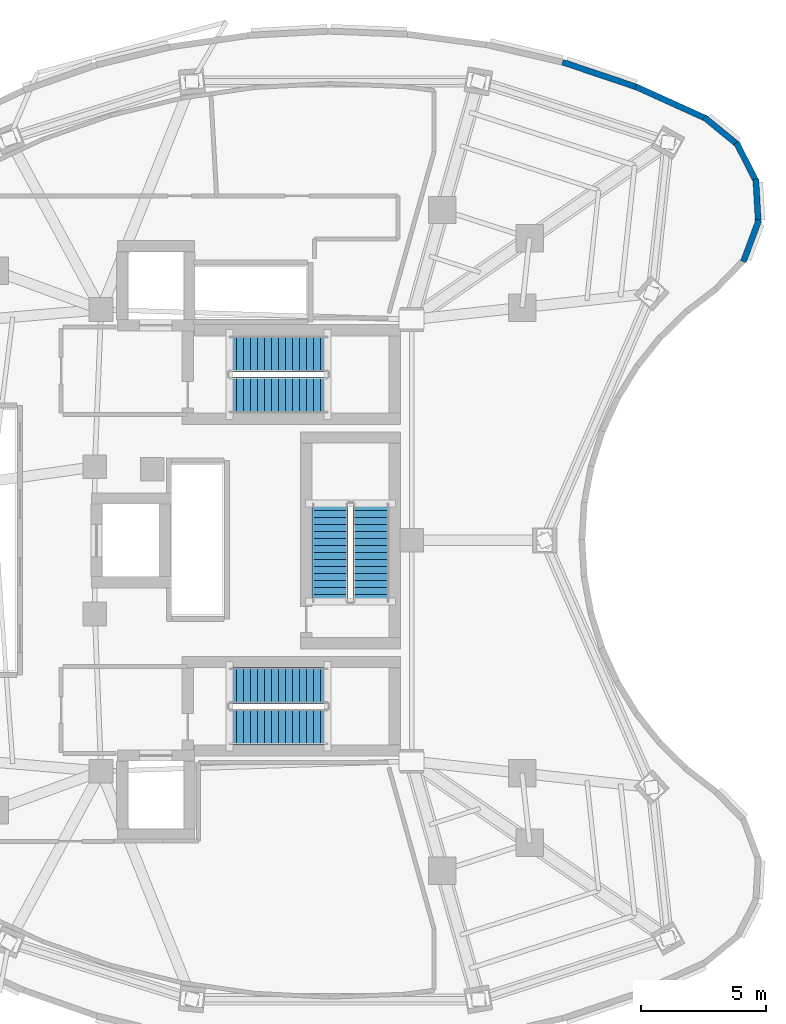
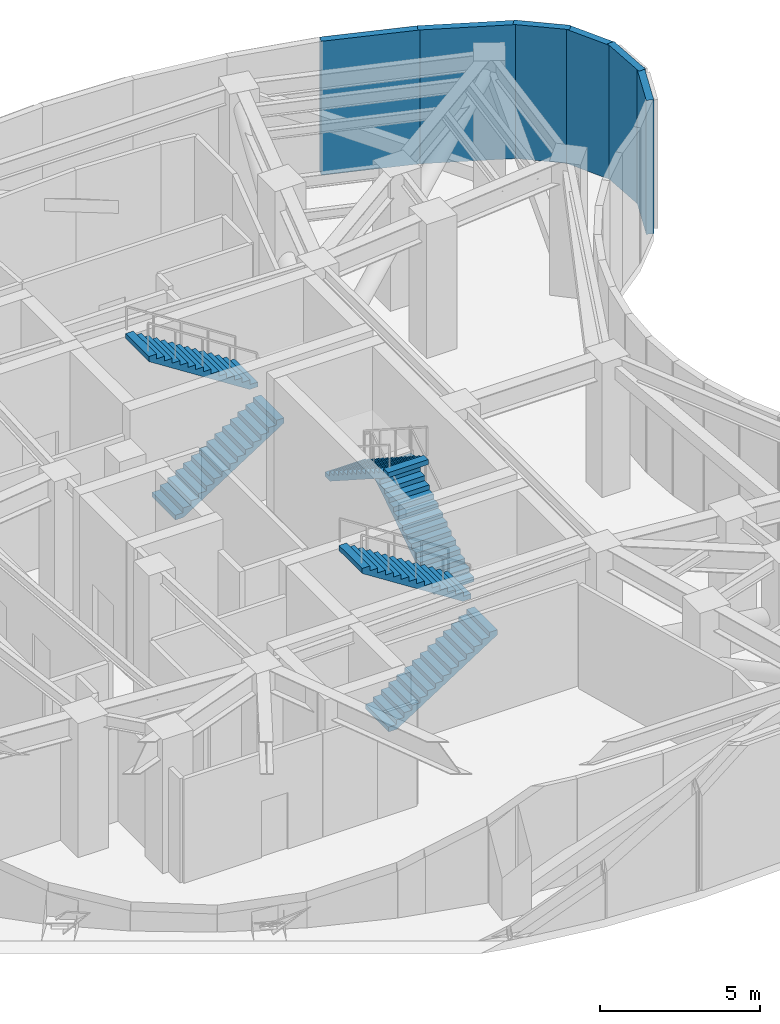
# One storey, part 7 of 10: 6 stair flights, 6 walls, 3 elements without a shape of their own.
"""IFC4 building model written with IfcOpenShell, lengths in metres."""

from ifc_helpers import new_model, si_unit, direction, frame, frame_2d, origin, place, context, subcontext, project, spatial, polyline, rectangle, outline, extrude, material, layer, layer_set, type_object, element, aggregate, save


model = new_model("IFC4")

# Units and contexts
model_context = context("Model", 3, precision=1e-05, world=origin(), true_north=direction((0.0, 1.0)))
body_context = subcontext(model_context, "Body", "Model", "MODEL_VIEW")
ifc_project = project(units=[si_unit("LENGTHUNIT", "METRE"), si_unit("AREAUNIT", "SQUARE_METRE"), si_unit("VOLUMEUNIT", "CUBIC_METRE"), si_unit("PLANEANGLEUNIT", "RADIAN"), si_unit("MASSUNIT", "GRAM", prefix="KILO")], contexts=[model_context])

# Site, building, storey
site_placement = place(None, origin())
site = spatial("IfcSite", under=ifc_project, at=site_placement, CompositionType="ELEMENT")
building_placement = place(site_placement, origin())
building = spatial("IfcBuilding", under=site, at=building_placement, Name="Korentha Bioscience Tower", CompositionType="ELEMENT")
storey_placement = place(building_placement, frame((0.0, 0.0, 148.800048828125)))
storey = spatial("IfcBuildingStorey", under=building, at=storey_placement, Name="L34", CompositionType="ELEMENT", Elevation=148.800048828125)

# Walls
ifc_material_1 = material(Name="Insulated Precast Concrete C40", Category="concrete")
ifc_layer = layer(ifc_material_1, 0.239990234375, Name="Insulated Precast Concrete C40")
ifc_layer_set = layer_set([ifc_layer], Name="Insulated Precast Concrete C40 (EW-PL240)")
wall_type = type_object("IfcWallType", Name="Plant Acoustic Louvre Backup Wall 240", PredefinedType="STANDARD", material=ifc_layer_set)
wall_1_placement = place(storey_placement, frame((49.381103515625, 43.891845703125, 0.0), z_axis=(0.0, 0.0, 1.0), x_axis=(-0.910627622645, 0.413227942999, 0.0)))
element("IfcWall", 1, at=wall_1_placement, inside=storey, type_object=wall_type, Name="L34 Plant Louvre Backup Wall 01", PredefinedType="STANDARD", context=body_context, shape_type="SweptSolid", body=[
    extrude(rectangle(XDim=3.135498046875, YDim=0.239990234375, at=frame_2d((1.56787109375, 0.0))), origin(), (0.0, 0.0, 1.0), 5.099853515625),
])
wall_2_placement = place(storey_placement, frame((46.630126953125, 45.146240234375, 0.0), z_axis=(0.0, 0.0, 1.0), x_axis=(-0.947648965164, 0.319314012882, 0.0)))
element("IfcWall", 2, at=wall_2_placement, inside=storey, type_object=wall_type, Name="L34 Plant Louvre Backup Wall 02", PredefinedType="STANDARD", context=body_context, shape_type="SweptSolid", body=[
    extrude(rectangle(XDim=3.2021484375, YDim=0.239990234375, at=frame_2d((1.60107421875, 0.0))), origin(), (0.0, 0.0, 1.0), 5.099853515625),
])
wall_3_placement = place(storey_placement, frame((50.840576171875, 38.16455078125, 0.0), z_axis=(0.0, 0.0, 1.0), x_axis=(0.348987012258, 0.937127560834, 0.0)))
element("IfcWall", 3, at=wall_3_placement, inside=storey, type_object=wall_type, Name="L34 Plant Louvre Backup Wall 59", PredefinedType="STANDARD", context=body_context, shape_type="SweptSolid", body=[
    extrude(rectangle(XDim=1.79150390625, YDim=0.239990234375, at=frame_2d((0.895751953125, 0.0))), origin(), (0.0, 0.0, 1.0), 5.099853515625),
])
wall_4_placement = place(storey_placement, frame((51.44384765625, 39.697998046875, 0.0), z_axis=(0.0, 0.0, 1.0), x_axis=(-0.057499905278, 0.998345511781, 0.0)))
element("IfcWall", 4, at=wall_4_placement, inside=storey, type_object=wall_type, Name="L34 Plant Louvre Backup Wall 60", PredefinedType="STANDARD", context=body_context, shape_type="SweptSolid", body=[
    extrude(rectangle(XDim=1.791748046875, YDim=0.239990234375, at=frame_2d((0.89599609375, 0.0))), origin(), (0.0, 0.0, 1.0), 5.099853515625),
])
wall_5_placement = place(storey_placement, frame((51.37939453125, 41.3447265625, 0.0), z_axis=(0.0, 0.0, 1.0), x_axis=(-0.45422985356, 0.890884526824, 0.0)))
element("IfcWall", 5, at=wall_5_placement, inside=storey, type_object=wall_type, Name="L34 Plant Louvre Backup Wall 61", PredefinedType="STANDARD", context=body_context, shape_type="SweptSolid", body=[
    extrude(rectangle(XDim=1.7919921875, YDim=0.239990234375, at=frame_2d((0.89599609375, 0.0))), origin(), (0.0, 0.0, 1.0), 5.099853515625),
])
wall_6_placement = place(storey_placement, frame((50.65771484375, 42.826416015625, 0.0), z_axis=(0.0, 0.0, 1.0), x_axis=(-0.774218282291, 0.632918676741, 0.0)))
element("IfcWall", 6, at=wall_6_placement, inside=storey, type_object=wall_type, Name="L34 Plant Louvre Backup Wall 62", PredefinedType="STANDARD", context=body_context, shape_type="SweptSolid", body=[
    extrude(rectangle(XDim=1.791748046875, YDim=0.239990234375, at=frame_2d((0.89599609375, 0.0))), origin(), (0.0, 0.0, 1.0), 5.099853515625),
])

# Stair, stair flights
ifc_material_2 = material(Name="Precast Concrete C50", Category="concrete")
stair_type = type_object("IfcStairType", Name="Core Exit Dog-Leg Stair 1450", PredefinedType="HALF_TURN_STAIR", material=ifc_material_2)
stair_1_placement = place(storey_placement, origin())
stair_1 = element("IfcStair", 7, at=stair_1_placement, inside=storey, type_object=stair_type, Name="L34 Tower North Pressurized Exit Stair ST-1", PredefinedType="HALF_TURN_STAIR")
stair_flight_type = type_object("IfcStairFlightType", Name="Core Exit Dog-Leg Stair 1450 Flight", PredefinedType="STRAIGHT", material=ifc_material_2)
stair_flight_1_placement = place(storey_placement, frame((30.25, 32.824951171875, 0.0), z_axis=(0.0, 0.0, 1.0), x_axis=(1.0, 0.0, 0.0)))
stair_flight_1 = element("IfcStairFlight", 8, at=stair_flight_1_placement, type_object=stair_flight_type, Name="ST-1 flight 1", NumberOfRisers=15, NumberOfTreads=14, PredefinedType="STRAIGHT", RiserHeight=0.18, TreadLength=0.28, context=body_context, shape_type="SweptSolid", body=[
    extrude(outline(polyline([(0.0, 0.0), (0.0, 0.179931640625), (0.280029296875, 0.179931640625), (0.280029296875, 0.360107421875), (0.56005859375, 0.360107421875), (0.56005859375, 0.5400390625), (0.840087890625, 0.5400390625), (0.840087890625, 0.719970703125), (1.1201171875, 0.719970703125), (1.1201171875, 0.89990234375), (1.39990234375, 0.89990234375), (1.39990234375, 1.080078125), (1.679931640625, 1.080078125), (1.679931640625, 1.260009765625), (1.9599609375, 1.260009765625), (1.9599609375, 1.43994140625), (2.239990234375, 1.43994140625), (2.239990234375, 1.6201171875), (2.52001953125, 1.6201171875), (2.52001953125, 1.800048828125), (2.800048828125, 1.800048828125), (2.800048828125, 1.97998046875), (3.080078125, 1.97998046875), (3.080078125, 2.159912109375), (3.360107421875, 2.159912109375), (3.360107421875, 2.340087890625), (3.639892578125, 2.340087890625), (3.639892578125, 2.52001953125), (3.919921875, 2.52001953125), (3.919921875, 2.699951171875), (3.919921875, 2.329833984375), (0.295654296875, 0.0), (0.0, 0.0)])), frame((0.0, 0.72509765625, 0.0), z_axis=(0.0, -1.0, 0.0), x_axis=(1.0, 0.0, 0.0)), (0.0, 0.0, 1.0), 1.449951171875),
])
stair_flight_2_placement = place(storey_placement, frame((34.169921875, 34.47509765625, 2.699951171875), z_axis=(0.0, 0.0, 1.0), x_axis=(-1.0, 0.0, 0.0)))
stair_flight_2 = element("IfcStairFlight", 9, at=stair_flight_2_placement, type_object=stair_flight_type, Name="ST-1 flight 2", NumberOfRisers=15, NumberOfTreads=14, PredefinedType="STRAIGHT", RiserHeight=0.18, TreadLength=0.28, context=body_context, shape_type="SweptSolid", body=[
    extrude(outline(polyline([(0.0, 0.0), (0.0, 0.179931640625), (0.280029296875, 0.179931640625), (0.280029296875, 0.360107421875), (0.56005859375, 0.360107421875), (0.56005859375, 0.5400390625), (0.840087890625, 0.5400390625), (0.840087890625, 0.719970703125), (1.1201171875, 0.719970703125), (1.1201171875, 0.89990234375), (1.39990234375, 0.89990234375), (1.39990234375, 1.080078125), (1.679931640625, 1.080078125), (1.679931640625, 1.260009765625), (1.9599609375, 1.260009765625), (1.9599609375, 1.43994140625), (2.239990234375, 1.43994140625), (2.239990234375, 1.6201171875), (2.52001953125, 1.6201171875), (2.52001953125, 1.800048828125), (2.800048828125, 1.800048828125), (2.800048828125, 1.97998046875), (3.080078125, 1.97998046875), (3.080078125, 2.159912109375), (3.360107421875, 2.159912109375), (3.360107421875, 2.340087890625), (3.639892578125, 2.340087890625), (3.639892578125, 2.52001953125), (3.919921875, 2.52001953125), (3.919921875, 2.699951171875), (3.919921875, 2.329833984375), (0.295654296875, 0.0), (0.0, 0.0)])), frame((0.0, 0.72509765625, 0.0), z_axis=(0.0, -1.0, 0.0), x_axis=(1.0, 0.0, 0.0)), (0.0, 0.0, 1.0), 1.449951171875),
])
aggregate(stair_1, [stair_flight_1, stair_flight_2])

stair_2_placement = place(storey_placement, origin())
stair_2 = element("IfcStair", 10, at=stair_2_placement, inside=storey, type_object=stair_type, Name="L34 Tower South Pressurized Exit Stair ST-2", PredefinedType="HALF_TURN_STAIR")
stair_flight_3_placement = place(storey_placement, frame((30.25, 19.52490234375, 0.0), z_axis=(0.0, 0.0, 1.0), x_axis=(1.0, 0.0, 0.0)))
stair_flight_3 = element("IfcStairFlight", 11, at=stair_flight_3_placement, type_object=stair_flight_type, Name="ST-2 flight 1", NumberOfRisers=15, NumberOfTreads=14, PredefinedType="STRAIGHT", RiserHeight=0.18, TreadLength=0.28, context=body_context, shape_type="SweptSolid", body=[
    extrude(outline(polyline([(0.0, 0.0), (0.0, 0.179931640625), (0.280029296875, 0.179931640625), (0.280029296875, 0.360107421875), (0.56005859375, 0.360107421875), (0.56005859375, 0.5400390625), (0.840087890625, 0.5400390625), (0.840087890625, 0.719970703125), (1.1201171875, 0.719970703125), (1.1201171875, 0.89990234375), (1.39990234375, 0.89990234375), (1.39990234375, 1.080078125), (1.679931640625, 1.080078125), (1.679931640625, 1.260009765625), (1.9599609375, 1.260009765625), (1.9599609375, 1.43994140625), (2.239990234375, 1.43994140625), (2.239990234375, 1.6201171875), (2.52001953125, 1.6201171875), (2.52001953125, 1.800048828125), (2.800048828125, 1.800048828125), (2.800048828125, 1.97998046875), (3.080078125, 1.97998046875), (3.080078125, 2.159912109375), (3.360107421875, 2.159912109375), (3.360107421875, 2.340087890625), (3.639892578125, 2.340087890625), (3.639892578125, 2.52001953125), (3.919921875, 2.52001953125), (3.919921875, 2.699951171875), (3.919921875, 2.329833984375), (0.295654296875, 0.0), (0.0, 0.0)])), frame((0.0, 0.72509765625, 0.0), z_axis=(0.0, -1.0, 0.0), x_axis=(1.0, 0.0, 0.0)), (0.0, 0.0, 1.0), 1.449951171875),
])
stair_flight_4_placement = place(storey_placement, frame((34.169921875, 21.175048828125, 2.699951171875), z_axis=(0.0, 0.0, 1.0), x_axis=(-1.0, 0.0, 0.0)))
stair_flight_4 = element("IfcStairFlight", 12, at=stair_flight_4_placement, type_object=stair_flight_type, Name="ST-2 flight 2", NumberOfRisers=15, NumberOfTreads=14, PredefinedType="STRAIGHT", RiserHeight=0.18, TreadLength=0.28, context=body_context, shape_type="SweptSolid", body=[
    extrude(outline(polyline([(0.0, 0.0), (0.0, 0.179931640625), (0.280029296875, 0.179931640625), (0.280029296875, 0.360107421875), (0.56005859375, 0.360107421875), (0.56005859375, 0.5400390625), (0.840087890625, 0.5400390625), (0.840087890625, 0.719970703125), (1.1201171875, 0.719970703125), (1.1201171875, 0.89990234375), (1.39990234375, 0.89990234375), (1.39990234375, 1.080078125), (1.679931640625, 1.080078125), (1.679931640625, 1.260009765625), (1.9599609375, 1.260009765625), (1.9599609375, 1.43994140625), (2.239990234375, 1.43994140625), (2.239990234375, 1.6201171875), (2.52001953125, 1.6201171875), (2.52001953125, 1.800048828125), (2.800048828125, 1.800048828125), (2.800048828125, 1.97998046875), (3.080078125, 1.97998046875), (3.080078125, 2.159912109375), (3.360107421875, 2.159912109375), (3.360107421875, 2.340087890625), (3.639892578125, 2.340087890625), (3.639892578125, 2.52001953125), (3.919921875, 2.52001953125), (3.919921875, 2.699951171875), (3.919921875, 2.329833984375), (0.295654296875, 0.0), (0.0, 0.0)])), frame((0.0, 0.72509765625, 0.0), z_axis=(0.0, -1.0, 0.0), x_axis=(1.0, 0.0, 0.0)), (0.0, 0.0, 1.0), 1.449951171875),
])
aggregate(stair_2, [stair_flight_3, stair_flight_4])

stair_3_placement = place(storey_placement, origin())
stair_3 = element("IfcStair", 13, at=stair_3_placement, inside=storey, type_object=stair_type, Name="L34 Tower Central Pressurized Exit Stair ST-3", PredefinedType="HALF_TURN_STAIR")
stair_flight_5_placement = place(storey_placement, frame((35.925048828125, 24.550048828125, 0.0), z_axis=(0.0, 0.0, 1.0), x_axis=(0.0, 1.0, 0.0)))
stair_flight_5 = element("IfcStairFlight", 14, at=stair_flight_5_placement, type_object=stair_flight_type, Name="ST-3 flight 1", NumberOfRisers=15, NumberOfTreads=14, PredefinedType="STRAIGHT", RiserHeight=0.18, TreadLength=0.28, context=body_context, shape_type="SweptSolid", body=[
    extrude(outline(polyline([(0.0, 0.0), (0.0, 0.179931640625), (0.280029296875, 0.179931640625), (0.280029296875, 0.360107421875), (0.56005859375, 0.360107421875), (0.56005859375, 0.5400390625), (0.840087890625, 0.5400390625), (0.840087890625, 0.719970703125), (1.1201171875, 0.719970703125), (1.1201171875, 0.89990234375), (1.39990234375, 0.89990234375), (1.39990234375, 1.080078125), (1.679931640625, 1.080078125), (1.679931640625, 1.260009765625), (1.9599609375, 1.260009765625), (1.9599609375, 1.43994140625), (2.239990234375, 1.43994140625), (2.239990234375, 1.6201171875), (2.52001953125, 1.6201171875), (2.52001953125, 1.800048828125), (2.800048828125, 1.800048828125), (2.800048828125, 1.97998046875), (3.080078125, 1.97998046875), (3.080078125, 2.159912109375), (3.360107421875, 2.159912109375), (3.360107421875, 2.340087890625), (3.639892578125, 2.340087890625), (3.639892578125, 2.52001953125), (3.919921875, 2.52001953125), (3.919921875, 2.699951171875), (3.919921875, 2.329833984375), (0.295654296875, 0.0), (0.0, 0.0)])), frame((0.0, 0.72509765625, 0.0), z_axis=(0.0, -1.0, 0.0), x_axis=(1.0, 0.0, 0.0)), (0.0, 0.0, 1.0), 1.449951171875),
])
stair_flight_6_placement = place(storey_placement, frame((34.27490234375, 28.469970703125, 2.699951171875), z_axis=(0.0, 0.0, 1.0), x_axis=(0.0, -1.0, 0.0)))
stair_flight_6 = element("IfcStairFlight", 15, at=stair_flight_6_placement, type_object=stair_flight_type, Name="ST-3 flight 2", NumberOfRisers=15, NumberOfTreads=14, PredefinedType="STRAIGHT", RiserHeight=0.18, TreadLength=0.28, context=body_context, shape_type="SweptSolid", body=[
    extrude(outline(polyline([(0.0, 0.0), (0.0, 0.179931640625), (0.280029296875, 0.179931640625), (0.280029296875, 0.360107421875), (0.56005859375, 0.360107421875), (0.56005859375, 0.5400390625), (0.840087890625, 0.5400390625), (0.840087890625, 0.719970703125), (1.1201171875, 0.719970703125), (1.1201171875, 0.89990234375), (1.39990234375, 0.89990234375), (1.39990234375, 1.080078125), (1.679931640625, 1.080078125), (1.679931640625, 1.260009765625), (1.9599609375, 1.260009765625), (1.9599609375, 1.43994140625), (2.239990234375, 1.43994140625), (2.239990234375, 1.6201171875), (2.52001953125, 1.6201171875), (2.52001953125, 1.800048828125), (2.800048828125, 1.800048828125), (2.800048828125, 1.97998046875), (3.080078125, 1.97998046875), (3.080078125, 2.159912109375), (3.360107421875, 2.159912109375), (3.360107421875, 2.340087890625), (3.639892578125, 2.340087890625), (3.639892578125, 2.52001953125), (3.919921875, 2.52001953125), (3.919921875, 2.699951171875), (3.919921875, 2.329833984375), (0.295654296875, 0.0), (0.0, 0.0)])), frame((0.0, 0.72509765625, 0.0), z_axis=(0.0, -1.0, 0.0), x_axis=(1.0, 0.0, 0.0)), (0.0, 0.0, 1.0), 1.449951171875),
])
aggregate(stair_3, [stair_flight_5, stair_flight_6])

save(model, "model.ifc")
